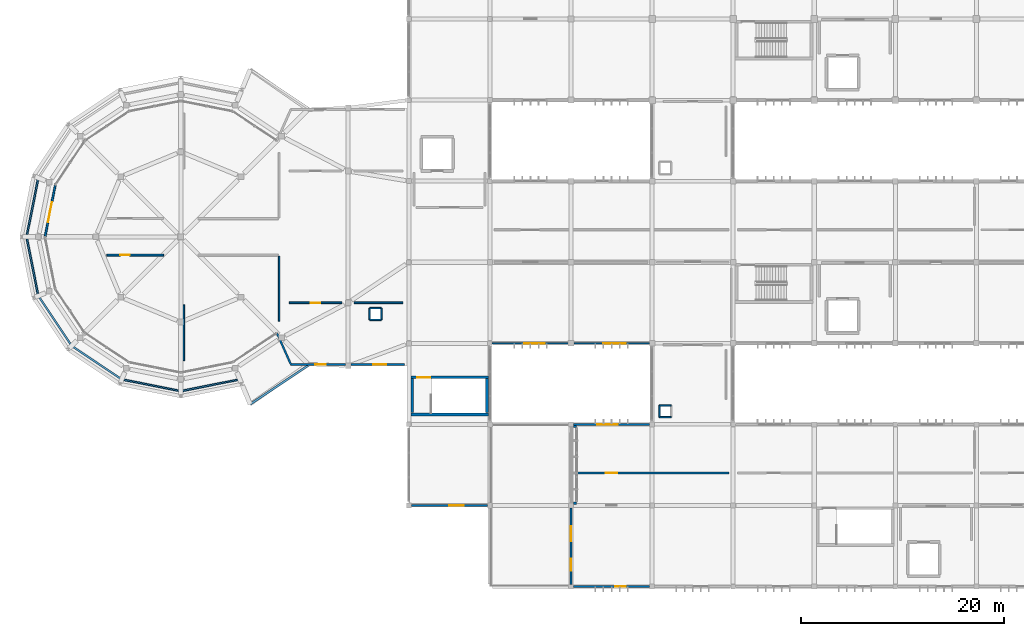
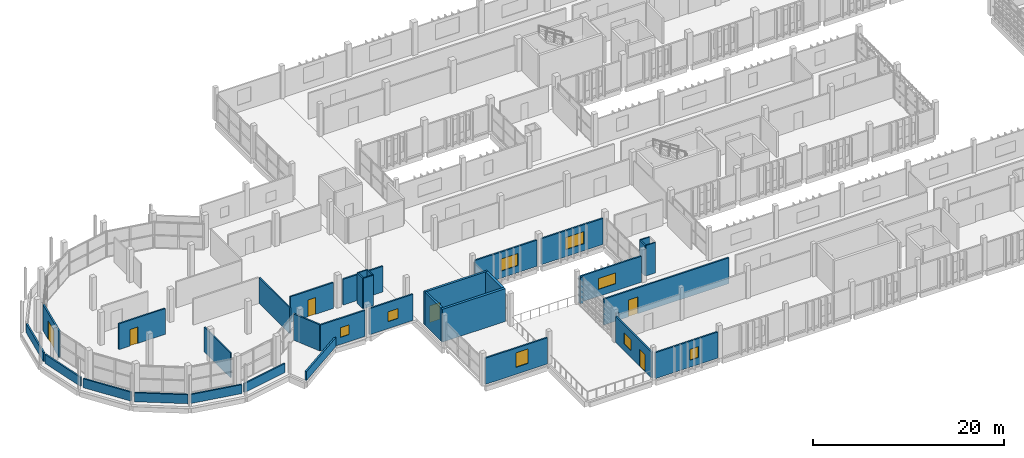
# One storey, part 44 of 63: 36 walls, 8 windows, 6 doors, 14 openings.
"""IFC4 building model written with IfcOpenShell, lengths in metres."""

import ifcopenshell
import ifcopenshell.guid

model = None  # the IFC model being written
_history = None  # IfcOwnerHistory: only IFC2X3 demands one
_inside = {}  # id of a spatial element -> (the spatial element, [elements in it])
_under = {}  # id of a project, library or spatial element -> (it, [spatial elements below it])
_declared = {}  # id of a project -> (the project, [libraries it declares])
_typed = {}  # id of a type object -> (the type object, [elements of that type])
_made_of = {}  # id of a material, layer set ... -> (it, [elements and type objects made of it])


def new_model(schema):
    """Start an empty IFC model of exactly this schema.

    Asked for "IFC4X3", IfcOpenShell would pick the latest addendum, in which some entities
    have other attributes; the version numbers below select the first issue.
    IFC2X3 requires an IfcOwnerHistory on every rooted entity: one is made here for all.
    """
    global model, _history
    if schema == "IFC4X3":
        model = ifcopenshell.file(schema_version=(4, 3, 0, 0))
    else:
        model = ifcopenshell.file(schema=schema)
    _inside.clear()
    _under.clear()
    _declared.clear()
    _typed.clear()
    _made_of.clear()
    _history = None
    if model.schema == "IFC2X3":
        org = make("IfcOrganization", Name="unknown")
        user = make(
            "IfcPersonAndOrganization",
            ThePerson=make("IfcPerson", FamilyName="unknown"),
            TheOrganization=org,
        )
        app = make(
            "IfcApplication",
            ApplicationDeveloper=org,
            Version="unknown",
            ApplicationFullName="unknown",
            ApplicationIdentifier="unknown",
        )
        _history = make(
            "IfcOwnerHistory",
            OwningUser=user,
            OwningApplication=app,
            ChangeAction="ADDED",
            CreationDate=0,
        )
    return model


def make(cls, **values):
    """One entity of the class cls with the attributes given. An attribute that is None is left unset."""
    return model.create_entity(
        cls, **{name: value for name, value in values.items() if value is not None}
    )


def rooted(cls, **values):
    """An entity with a GlobalId (a new one), such as an element, a storey or a relation."""
    return make(cls, GlobalId=ifcopenshell.guid.new(), OwnerHistory=_history, **values)


def si_unit(unit_type, name, prefix=None):
    """IfcSIUnit, for example si_unit("LENGTHUNIT", "METRE", prefix="MILLI")."""
    return make("IfcSIUnit", UnitType=unit_type, Prefix=prefix, Name=name)


def assignment(units):
    """IfcUnitAssignment: the units of a project."""
    return None if units is None else make("IfcUnitAssignment", Units=units)


def point(xyz):
    """IfcCartesianPoint."""
    return None if xyz is None else make("IfcCartesianPoint", Coordinates=xyz)


def direction(xyz):
    """IfcDirection."""
    return None if xyz is None else make("IfcDirection", DirectionRatios=xyz)


def frame(location, z_axis=None, x_axis=None):
    """IfcAxis2Placement3D, a coordinate frame: its origin and axes. An axis left out is left unset."""
    return make(
        "IfcAxis2Placement3D",
        Location=point(location),
        Axis=direction(z_axis),
        RefDirection=direction(x_axis),
    )


def frame_2d(location, x_axis=None):
    """IfcAxis2Placement2D, a coordinate frame in the plane: its origin and x axis."""
    return make(
        "IfcAxis2Placement2D", Location=point(location), RefDirection=direction(x_axis)
    )


def origin():
    """The frame at (0, 0, 0) with its axes left unset."""
    return frame((0.0, 0.0, 0.0))


def place(relative_to, where):
    """IfcLocalPlacement: puts the frame where relative to a parent placement (None: the world)."""
    return make(
        "IfcLocalPlacement", PlacementRelTo=relative_to, RelativePlacement=where
    )


def context(
    kind, dimensions, precision=None, world=None, true_north=None, identifier=None
):
    """IfcGeometricRepresentationContext, for example the 3D "Model" context."""
    return make(
        "IfcGeometricRepresentationContext",
        ContextIdentifier=identifier,
        ContextType=kind,
        CoordinateSpaceDimension=dimensions,
        Precision=precision,
        WorldCoordinateSystem=world,
        TrueNorth=true_north,
    )


def subcontext(parent, identifier, kind, view, scale=None):
    """IfcGeometricRepresentationSubContext, for example "Body" below "Model"."""
    return make(
        "IfcGeometricRepresentationSubContext",
        ContextIdentifier=identifier,
        ContextType=kind,
        ParentContext=parent,
        TargetScale=scale,
        TargetView=view,
    )


def project(units=None, contexts=None):
    """IfcProject with its units and contexts."""
    return rooted(
        "IfcProject",
        Name="project",
        RepresentationContexts=contexts,
        UnitsInContext=assignment(units),
    )


def spatial(cls, under=None, at=None, **own):
    """A site, building, storey or space (cls), placed at a placement, below another one or the project."""
    s = rooted(cls, ObjectPlacement=at, **own)
    if under is not None:
        _under.setdefault(under.id(), (under, []))[1].append(s)
    return s


def profile(cls, at=None, kind="AREA", **sizes):
    """A parametric profile (cls). Its sizes go by their IFC names, for example OverallWidth=200.0."""
    return make(cls, ProfileType=kind, Position=at, **sizes)


def rectangle(**sizes):
    """IfcRectangleProfileDef."""
    return profile("IfcRectangleProfileDef", **sizes)


def extrude(swept, where, along, depth):
    """IfcExtrudedAreaSolid: the profile swept, set in the frame where, extruded along a direction by depth."""
    return make(
        "IfcExtrudedAreaSolid",
        SweptArea=swept,
        Position=where,
        ExtrudedDirection=direction(along),
        Depth=depth,
    )


def shape(context_of_items, identifier, shape_type, items):
    """IfcShapeRepresentation: the items that make up one representation, for example the "Body"."""
    return make(
        "IfcShapeRepresentation",
        ContextOfItems=context_of_items,
        RepresentationIdentifier=identifier,
        RepresentationType=shape_type,
        Items=items,
    )


def material(Name=None, Category=None):
    """IfcMaterial."""
    return make("IfcMaterial", Name=Name, Category=Category)


def layer(
    of_material, thickness, ventilated=None, Name=None, Category=None, Priority=None
):
    """IfcMaterialLayer: one layer of a wall or slab, of a material (None: an air gap)."""
    return make(
        "IfcMaterialLayer",
        Material=of_material,
        LayerThickness=thickness,
        IsVentilated=ventilated,
        Name=Name,
        Category=Category,
        Priority=Priority,
    )


def layer_set(layers, Name=None):
    """IfcMaterialLayerSet."""
    return make("IfcMaterialLayerSet", MaterialLayers=layers, LayerSetName=Name)


def made_of(thing, what):
    """Note that an element or type object is made of a material, layer set ...; save() writes the relation."""
    if what is not None:
        _made_of.setdefault(what.id(), (what, []))[1].append(thing)
    return thing


def type_object(cls, material=None, **own):
    """A type object (cls), such as IfcWallType, which elements share."""
    return made_of(rooted(cls, **own), material)


def element(
    cls,
    number,
    at=None,
    inside=None,
    cuts=None,
    type_object=None,
    material=None,
    context=None,
    identifier="Body",
    shape_type=None,
    held_by="IfcProductDefinitionShape",
    body=None,
    shapes=None,
    **own,
):
    """One element of the class cls, such as IfcWall. Its Tag is "e" and its number.

    at: its placement. inside: the storey or other place that contains it. cuts: it is an
    opening in that element (IfcRelVoidsElement). A single representation is given by context,
    identifier, shape_type and body (its items); several are given by shapes. held_by: the class
    of the entity that holds the representations. save() writes the other relations.
    """
    e = rooted(cls, Tag="e%d" % number, ObjectPlacement=at, **own)
    if body is not None:
        shapes = [shape(context, identifier, shape_type, body)]
    if shapes is not None:
        e.Representation = make(held_by, Representations=shapes)
    if inside is not None:
        _inside.setdefault(inside.id(), (inside, []))[1].append(e)
    if cuts is not None:
        rooted(
            "IfcRelVoidsElement", RelatingBuildingElement=cuts, RelatedOpeningElement=e
        )
    if type_object is not None:
        _typed.setdefault(type_object.id(), (type_object, []))[1].append(e)
    return made_of(e, material)


def fill(opening, filler):
    """IfcRelFillsElement: the door or window that sits in an opening."""
    return rooted(
        "IfcRelFillsElement",
        RelatingOpeningElement=opening,
        RelatedBuildingElement=filler,
    )


def aggregate(whole, parts):
    """IfcRelAggregates: a whole, such as a stair, and the parts it consists of."""
    return rooted("IfcRelAggregates", RelatingObject=whole, RelatedObjects=parts)


def save(model, path):
    """Write the relations noted so far, then the file.

    IfcRelAggregates (storeys below a building ...), IfcRelContainedInSpatialStructure (elements
    in a storey), IfcRelDefinesByType, IfcRelAssociatesMaterial and IfcRelDeclares: one each for
    every whole, place, type object, material and project.
    """
    for whole, parts in _under.values():
        aggregate(whole, parts)
    for where, things in _inside.values():
        rooted(
            "IfcRelContainedInSpatialStructure",
            RelatedElements=things,
            RelatingStructure=where,
        )
    for kind, things in _typed.values():
        rooted("IfcRelDefinesByType", RelatedObjects=things, RelatingType=kind)
    for what, things in _made_of.values():
        rooted("IfcRelAssociatesMaterial", RelatedObjects=things, RelatingMaterial=what)
    for by, libraries in _declared.values():
        rooted("IfcRelDeclares", RelatingContext=by, RelatedDefinitions=libraries)
    model.write(path)


model = new_model("IFC4")

# Units and contexts
model_context = context("Model", 3, precision=1e-05, world=origin(), true_north=direction((0.0, 1.0)))
body_context = subcontext(model_context, "Body", "Model", "MODEL_VIEW")
ifc_project = project(units=[si_unit("LENGTHUNIT", "METRE"), si_unit("AREAUNIT", "SQUARE_METRE"), si_unit("VOLUMEUNIT", "CUBIC_METRE"), si_unit("PLANEANGLEUNIT", "RADIAN"), si_unit("MASSUNIT", "GRAM", prefix="KILO")], contexts=[model_context])

# Site, building, storey
site_placement = place(None, origin())
site = spatial("IfcSite", under=ifc_project, at=site_placement, CompositionType="ELEMENT")
building_placement = place(site_placement, origin())
building = spatial("IfcBuilding", under=site, at=building_placement, Name="Jelvoka-Kovrelna Polytechnic", CompositionType="ELEMENT")
storey_placement = place(building_placement, frame((0.0, 0.0, 18.0)))
storey = spatial("IfcBuildingStorey", under=building, at=storey_placement, Name="L05", CompositionType="ELEMENT", Elevation=18.0)

# Wall, opening, door
ifc_material_1 = material(Name="Concrete C40/50", Category="concrete")
ifc_layer_1 = layer(ifc_material_1, 0.25)
ifc_layer_set_1 = layer_set([ifc_layer_1], Name="Concrete C40/50")
wall_type_1 = type_object("IfcWallType", Name="Wall_Core_250", PredefinedType="SOLIDWALL", material=ifc_layer_set_1)
wall_1_placement = place(storey_placement, frame((48.199951171875, 28.639892578125, 0.0), z_axis=(0.0, 0.0, 1.0), x_axis=(1.0, 0.0, 0.0)))
wall_1 = element("IfcWall", 1, at=wall_1_placement, inside=storey, type_object=wall_type_1, Name="L05 interior wall 0035", PredefinedType="SOLIDWALL", context=body_context, shape_type="SweptSolid", body=[
    extrude(rectangle(XDim=7.650146484375, YDim=0.25, at=frame_2d((3.8251953125, 0.0))), origin(), (0.0, 0.0, 1.0), 4.199951171875),
])
opening_1_placement = place(wall_1_placement, frame((0.64990234375, 0.0, 0.0)))
opening_1 = element("IfcOpeningElement", 2, at=opening_1_placement, cuts=wall_1, Name="Opening SD-L05-009", PredefinedType="OPENING", context=body_context, shape_type="SweptSolid", body=[
    extrude(rectangle(XDim=1.25, YDim=2.14990234375, at=frame_2d((0.625, 1.074951171875))), frame((0.0, 0.135009765625, 0.0), z_axis=(0.0, -1.0, 0.0), x_axis=(1.0, 0.0, 0.0)), (0.0, 0.0, 1.0), 0.27001953125),
])
ifc_material_2 = material(Name="Powder-coated steel fire door", Category="steel")
door_type_1 = type_object("IfcDoorType", Name="Door_Fire_FD02", OperationType="NOTDEFINED", PredefinedType="DOOR", material=ifc_material_2)
door_1_placement = place(opening_1_placement, origin())
door_1 = element("IfcDoor", 3, at=door_1_placement, inside=storey, type_object=door_type_1, Name="L05 interior door SD-L05-009", OperationType="SINGLE_SWING_LEFT", OverallHeight=2.14990234375, OverallWidth=1.25, PredefinedType="DOOR", context=body_context, shape_type="SweptSolid", body=[
    extrude(rectangle(XDim=1.25, YDim=2.14990234375, at=frame_2d((0.625, 1.074951171875))), frame((0.0, 0.02490234375, 0.0), z_axis=(0.0, -1.0, 0.0), x_axis=(1.0, 0.0, 0.0)), (0.0, 0.0, 1.0), 0.050048828125),
])
fill(opening_1, door_1)

# Wall
wall_2_placement = place(storey_placement, frame((48.324951171875, 25.14990234375, 0.0), z_axis=(0.0, 0.0, 1.0), x_axis=(0.0, 1.0, 0.0)))
element("IfcWall", 4, at=wall_2_placement, inside=storey, type_object=wall_type_1, Name="L05 interior wall 0036", PredefinedType="SOLIDWALL", context=body_context, shape_type="SweptSolid", body=[
    extrude(rectangle(XDim=3.360107421875, YDim=0.25, at=frame_2d((1.68017578125, 0.0))), origin(), (0.0, 0.0, 1.0), 4.199951171875),
])

# Wall, opening, door
ifc_material_3 = material(Name="Autoclaved aerated concrete blockwork", Category="masonry")
ifc_layer_2 = layer(ifc_material_3, 0.179931640625)
ifc_layer_set_2 = layer_set([ifc_layer_2], Name="Autoclaved aerated concrete blockwork")
wall_type_2 = type_object("IfcWallType", Name="Wall_Corridor_180", PredefinedType="PARTITIONING", material=ifc_layer_set_2)
wall_3_placement = place(storey_placement, frame((64.429931640625, 19.199951171875, 0.0), z_axis=(0.0, 0.0, 1.0), x_axis=(1.0, 0.0, 0.0)))
wall_3 = element("IfcWall", 5, at=wall_3_placement, inside=storey, type_object=wall_type_2, Name="L05 interior wall 1183", PredefinedType="PARTITIONING", context=body_context, shape_type="SweptSolid", body=[
    extrude(rectangle(XDim=15.14013671875, YDim=0.179931640625, at=frame_2d((7.570068359375, 0.0))), origin(), (0.0, 0.0, 1.0), 3.300048828125),
])
opening_2_placement = place(wall_3_placement, frame((3.0, 0.0, 0.0)))
opening_2 = element("IfcOpeningElement", 6, at=opening_2_placement, cuts=wall_3, Name="Opening D-L05-377", PredefinedType="OPENING", context=body_context, shape_type="SweptSolid", body=[
    extrude(rectangle(XDim=1.139892578125, YDim=2.14990234375, at=frame_2d((0.56982421875, 1.074951171875))), frame((0.0, 0.099853515625, 0.0), z_axis=(0.0, -1.0, 0.0), x_axis=(1.0, 0.0, 0.0)), (0.0, 0.0, 1.0), 0.199951171875),
])
ifc_material_4 = material(Name="Laboratory vision-panel door", Category="wood")
door_type_2 = type_object("IfcDoorType", Name="Door_Int_D11", OperationType="NOTDEFINED", PredefinedType="DOOR", material=ifc_material_4)
door_2_placement = place(opening_2_placement, origin())
door_2 = element("IfcDoor", 7, at=door_2_placement, inside=storey, type_object=door_type_2, Name="L05 interior door D-L05-377", OperationType="SINGLE_SWING_RIGHT", OverallHeight=2.14990234375, OverallWidth=1.139892578125, PredefinedType="DOOR", context=body_context, shape_type="SweptSolid", body=[
    extrude(rectangle(XDim=1.139892578125, YDim=2.14990234375, at=frame_2d((0.56982421875, 1.074951171875))), frame((0.0, 0.02490234375, 0.0), z_axis=(0.0, -1.0, 0.0), x_axis=(1.0, 0.0, 0.0)), (0.0, 0.0, 1.0), 0.050048828125),
])
fill(opening_2, door_2)

# Wall
wall_4_placement = place(storey_placement, frame((42.60009765625, 36.0, 0.0), z_axis=(0.0, 0.0, 1.0), x_axis=(1.0, 0.0, 0.0)))
element("IfcWall", 8, at=wall_4_placement, inside=storey, type_object=wall_type_2, Name="L05 interior wall 1222", PredefinedType="PARTITIONING", context=body_context, shape_type="SweptSolid", body=[
    extrude(rectangle(XDim=4.7998046875, YDim=0.179931640625, at=frame_2d((2.39990234375, 0.0))), origin(), (0.0, 0.0, 1.0), 3.300048828125),
])

# Wall, opening, door
wall_5_placement = place(storey_placement, frame((36.199951171875, 36.0, 0.0), z_axis=(0.0, 0.0, 1.0), x_axis=(1.0, 0.0, 0.0)))
wall_5 = element("IfcWall", 9, at=wall_5_placement, inside=storey, type_object=wall_type_2, Name="L05 interior wall 1224", PredefinedType="PARTITIONING", context=body_context, shape_type="SweptSolid", body=[
    extrude(rectangle(XDim=5.199951171875, YDim=0.179931640625, at=frame_2d((2.60009765625, 0.0))), origin(), (0.0, 0.0, 1.0), 3.300048828125),
])
opening_3_placement = place(wall_5_placement, frame((2.139892578125, 0.0, 0.0)))
opening_3 = element("IfcOpeningElement", 10, at=opening_3_placement, cuts=wall_5, Name="Opening D-L05-408", PredefinedType="OPENING", context=body_context, shape_type="SweptSolid", body=[
    extrude(rectangle(XDim=0.919921875, YDim=2.14990234375, at=frame_2d((0.4599609375, 1.074951171875))), frame((0.0, 0.099853515625, 0.0), z_axis=(0.0, -1.0, 0.0), x_axis=(1.0, 0.0, 0.0)), (0.0, 0.0, 1.0), 0.199951171875),
])
ifc_material_5 = material(Name="Hardwood solid-core door", Category="wood")
door_type_3 = type_object("IfcDoorType", Name="Door_Int_D06", OperationType="NOTDEFINED", PredefinedType="DOOR", material=ifc_material_5)
door_3_placement = place(opening_3_placement, origin())
door_3 = element("IfcDoor", 11, at=door_3_placement, inside=storey, type_object=door_type_3, Name="L05 interior door D-L05-408", OperationType="SINGLE_SWING_LEFT", OverallHeight=2.14990234375, OverallWidth=0.919921875, PredefinedType="DOOR", context=body_context, shape_type="SweptSolid", body=[
    extrude(rectangle(XDim=0.919921875, YDim=2.14990234375, at=frame_2d((0.4599609375, 1.074951171875))), frame((0.0, 0.02490234375, 0.0), z_axis=(0.0, -1.0, 0.0), x_axis=(1.0, 0.0, 0.0)), (0.0, 0.0, 1.0), 0.050048828125),
])
fill(opening_3, door_3)

wall_6_placement = place(storey_placement, frame((18.199951171875, 40.699951171875, 0.0), z_axis=(0.0, 0.0, 1.0), x_axis=(1.0, 0.0, 0.0)))
wall_6 = element("IfcWall", 12, at=wall_6_placement, inside=storey, type_object=wall_type_2, Name="L05 interior wall 1230", PredefinedType="PARTITIONING", context=body_context, shape_type="SweptSolid", body=[
    extrude(rectangle(XDim=5.60009765625, YDim=0.179931640625, at=frame_2d((2.800048828125, 0.0))), origin(), (0.0, 0.0, 1.0), 3.300048828125),
])
opening_4_placement = place(wall_6_placement, frame((1.324951171875, 0.0, 0.0)))
opening_4 = element("IfcOpeningElement", 13, at=opening_4_placement, cuts=wall_6, Name="Opening D-L05-410", PredefinedType="OPENING", context=body_context, shape_type="SweptSolid", body=[
    extrude(rectangle(XDim=0.949951171875, YDim=2.10009765625, at=frame_2d((0.47509765625, 1.050048828125))), frame((0.0, 0.099853515625, 0.0), z_axis=(0.0, -1.0, 0.0), x_axis=(1.0, 0.0, 0.0)), (0.0, 0.0, 1.0), 0.199951171875),
])
ifc_material_6 = material(Name="Hardwood fire-resisting laboratory door", Category="wood")
door_type_4 = type_object("IfcDoorType", Name="Door_Fire_FD30_01", OperationType="NOTDEFINED", PredefinedType="DOOR", material=ifc_material_6)
door_4_placement = place(opening_4_placement, origin())
door_4 = element("IfcDoor", 14, at=door_4_placement, inside=storey, type_object=door_type_4, Name="L05 interior door D-L05-410", OperationType="SINGLE_SWING_LEFT", OverallHeight=2.10009765625, OverallWidth=0.949951171875, PredefinedType="DOOR", context=body_context, shape_type="SweptSolid", body=[
    extrude(rectangle(XDim=0.949951171875, YDim=2.10009765625, at=frame_2d((0.47509765625, 1.050048828125))), frame((0.0, 0.02490234375, 0.0), z_axis=(0.0, -1.0, 0.0), x_axis=(1.0, 0.0, 0.0)), (0.0, 0.0, 1.0), 0.050048828125),
])
fill(opening_4, door_4)

# Wall, opening, window
ifc_material_7 = material(Name="Precast concrete C40/50", Category="concrete")
ifc_layer_3 = layer(ifc_material_7, 0.18505859375)
ifc_layer_set_3 = layer_set([ifc_layer_3], Name="Precast concrete C40/50")
wall_type_3 = type_object("IfcWallType", Name="Wall_Ext_White_260", PredefinedType="STANDARD", material=ifc_layer_set_3)
wall_7_placement = place(storey_placement, frame((71.7529296875, 8.0, 0.0), z_axis=(0.0, 0.0, 1.0), x_axis=(-1.0, 0.0, 0.0)))
wall_7 = element("IfcWall", 15, at=wall_7_placement, inside=storey, type_object=wall_type_3, Name="L05 exterior wall 0338", PredefinedType="STANDARD", context=body_context, shape_type="SweptSolid", body=[
    extrude(rectangle(XDim=7.531005859375, YDim=0.18505859375, at=frame_2d((3.765625, 0.0))), origin(), (0.0, 0.0, 1.0), 3.3349609375),
])
opening_5_placement = place(wall_7_placement, frame((2.3330078125, 0.0, 0.89990234375)))
opening_5 = element("IfcOpeningElement", 16, at=opening_5_placement, cuts=wall_7, Name="Opening W-L05-092", PredefinedType="OPENING", context=body_context, shape_type="SweptSolid", body=[
    extrude(rectangle(XDim=1.050048828125, YDim=1.39990234375, at=frame_2d((0.52490234375, 0.699951171875))), frame((0.0, 0.1025390625, 0.0), z_axis=(0.0, -1.0, 0.0), x_axis=(1.0, 0.0, 0.0)), (0.0, 0.0, 1.0), 0.205078125),
])
ifc_material_8 = material(Name="Thermally broken anodised aluminium and low-e glazing", Category="aluminium")
window_type_1 = type_object("IfcWindowType", Name="Win_Casement_W11", PartitioningType="SINGLE_PANEL", PredefinedType="WINDOW", material=ifc_material_8)
window_1_placement = place(opening_5_placement, origin())
window_1 = element("IfcWindow", 17, at=window_1_placement, inside=storey, type_object=window_type_1, Name="L05 aluminium casement window W-L05-092", OverallHeight=1.39990234375, OverallWidth=1.050048828125, PartitioningType="SINGLE_PANEL", PredefinedType="WINDOW", context=body_context, shape_type="SweptSolid", body=[
    extrude(rectangle(XDim=1.050048828125, YDim=1.39990234375, at=frame_2d((0.52490234375, 0.699951171875))), frame((0.0, 0.030029296875, 0.0), z_axis=(0.0, -1.0, 0.0), x_axis=(1.0, 0.0, 0.0)), (0.0, 0.0, 1.0), 0.06005859375),
])
fill(opening_5, window_1)

wall_8_placement = place(storey_placement, frame((64.221923828125, 24.0, 0.0), z_axis=(0.0, 0.0, 1.0), x_axis=(1.0, 0.0, 0.0)))
wall_8 = element("IfcWall", 18, at=wall_8_placement, inside=storey, type_object=wall_type_3, Name="L05 exterior wall 0339", PredefinedType="STANDARD", context=body_context, shape_type="SweptSolid", body=[
    extrude(rectangle(XDim=7.531005859375, YDim=0.18505859375, at=frame_2d((3.765625, 0.0))), origin(), (0.0, 0.0, 1.0), 3.3349609375),
])
opening_6_placement = place(wall_8_placement, frame((2.35791015625, 0.0, 0.89990234375)))
opening_6 = element("IfcOpeningElement", 19, at=opening_6_placement, cuts=wall_8, Name="Opening W-L05-093", PredefinedType="OPENING", context=body_context, shape_type="SweptSolid", body=[
    extrude(rectangle(XDim=2.050048828125, YDim=1.39990234375, at=frame_2d((1.02490234375, 0.699951171875))), frame((0.0, 0.1025390625, 0.0), z_axis=(0.0, -1.0, 0.0), x_axis=(1.0, 0.0, 0.0)), (0.0, 0.0, 1.0), 0.205078125),
])
ifc_material_9 = material(Name="Thermally broken anodised aluminium and low-e glazing", Category="aluminium")
window_type_2 = type_object("IfcWindowType", Name="Win_Casement_W16", PartitioningType="DOUBLE_PANEL_VERTICAL", PredefinedType="WINDOW", material=ifc_material_9)
window_2_placement = place(opening_6_placement, origin())
window_2 = element("IfcWindow", 20, at=window_2_placement, inside=storey, type_object=window_type_2, Name="L05 aluminium casement window W-L05-093", OverallHeight=1.39990234375, OverallWidth=2.050048828125, PartitioningType="DOUBLE_PANEL_VERTICAL", PredefinedType="WINDOW", context=body_context, shape_type="SweptSolid", body=[
    extrude(rectangle(XDim=2.050048828125, YDim=1.39990234375, at=frame_2d((1.02490234375, 0.699951171875))), frame((0.0, 0.030029296875, 0.0), z_axis=(0.0, -1.0, 0.0), x_axis=(1.0, 0.0, 0.0)), (0.0, 0.0, 1.0), 0.06005859375),
])
fill(opening_6, window_2)

# Wall, openings, door, window
wall_9_placement = place(storey_placement, frame((64.0, 8.221923828125, 0.0), z_axis=(0.0, 0.0, 1.0), x_axis=(0.0, 1.0, 0.0)))
wall_9 = element("IfcWall", 21, at=wall_9_placement, inside=storey, type_object=wall_type_3, Name="L05 exterior wall 0358", PredefinedType="STANDARD", context=body_context, shape_type="SweptSolid", body=[
    extrude(rectangle(XDim=7.531005859375, YDim=0.18505859375, at=frame_2d((3.765625, 0.0))), origin(), (0.0, 0.0, 1.0), 3.3349609375),
])
opening_7_placement = place(wall_9_placement, frame((1.35791015625, 0.0, 0.0)))
opening_7 = element("IfcOpeningElement", 22, at=opening_7_placement, cuts=wall_9, Name="Opening TD-L05-006", PredefinedType="OPENING", context=body_context, shape_type="SweptSolid", body=[
    extrude(rectangle(XDim=1.14990234375, YDim=2.199951171875, at=frame_2d((0.574951171875, 1.10009765625))), frame((0.0, 0.1025390625, 0.0), z_axis=(0.0, -1.0, 0.0), x_axis=(1.0, 0.0, 0.0)), (0.0, 0.0, 1.0), 0.205078125),
])
opening_8_placement = place(wall_9_placement, frame((4.258056640625, 0.0, 0.89990234375)))
opening_8 = element("IfcOpeningElement", 23, at=opening_8_placement, cuts=wall_9, Name="Opening W-L05-112", PredefinedType="OPENING", context=body_context, shape_type="SweptSolid", body=[
    extrude(rectangle(XDim=1.449951171875, YDim=1.39990234375, at=frame_2d((0.72509765625, 0.699951171875))), frame((0.0, 0.1025390625, 0.0), z_axis=(0.0, -1.0, 0.0), x_axis=(1.0, 0.0, 0.0)), (0.0, 0.0, 1.0), 0.205078125),
])
ifc_material_10 = material(Name="Powder-coated aluminium and laminated safety glass", Category="aluminium")
door_type_5 = type_object("IfcDoorType", Name="Door_Ext_Terrace_1150x2200", OperationType="NOTDEFINED", PredefinedType="DOOR", material=ifc_material_10)
door_5_placement = place(opening_7_placement, origin())
door_5 = element("IfcDoor", 24, at=door_5_placement, inside=storey, type_object=door_type_5, Name="L05 exterior door TD-L05-006", OperationType="SINGLE_SWING_LEFT", OverallHeight=2.199951171875, OverallWidth=1.14990234375, PredefinedType="DOOR", context=body_context, shape_type="SweptSolid", body=[
    extrude(rectangle(XDim=1.14990234375, YDim=2.199951171875, at=frame_2d((0.574951171875, 1.10009765625))), frame((0.0, 0.02490234375, 0.0), z_axis=(0.0, -1.0, 0.0), x_axis=(1.0, 0.0, 0.0)), (0.0, 0.0, 1.0), 0.050048828125),
])
fill(opening_7, door_5)
ifc_material_11 = material(Name="Thermally broken anodised aluminium and low-e glazing", Category="aluminium")
window_type_3 = type_object("IfcWindowType", Name="Win_Casement_W13", PartitioningType="SINGLE_PANEL", PredefinedType="WINDOW", material=ifc_material_11)
window_3_placement = place(opening_8_placement, origin())
window_3 = element("IfcWindow", 25, at=window_3_placement, inside=storey, type_object=window_type_3, Name="L05 aluminium casement window W-L05-112", OverallHeight=1.39990234375, OverallWidth=1.449951171875, PartitioningType="SINGLE_PANEL", PredefinedType="WINDOW", context=body_context, shape_type="SweptSolid", body=[
    extrude(rectangle(XDim=1.449951171875, YDim=1.39990234375, at=frame_2d((0.72509765625, 0.699951171875))), frame((0.0, 0.030029296875, 0.0), z_axis=(0.0, -1.0, 0.0), x_axis=(1.0, 0.0, 0.0)), (0.0, 0.0, 1.0), 0.06005859375),
])
fill(opening_8, window_3)

# Wall, opening, window
wall_10_placement = place(storey_placement, frame((63.72802734375, 32.0, 0.0), z_axis=(0.0, 0.0, 1.0), x_axis=(-1.0, 0.0, 0.0)))
wall_10 = element("IfcWall", 26, at=wall_10_placement, inside=storey, type_object=wall_type_3, Name="L05 exterior wall 0412", PredefinedType="STANDARD", context=body_context, shape_type="SweptSolid", body=[
    extrude(rectangle(XDim=7.506103515625, YDim=0.18505859375, at=frame_2d((3.7529296875, 0.0))), origin(), (0.0, 0.0, 1.0), 3.35009765625),
])
opening_9_placement = place(wall_10_placement, frame((2.30810546875, 0.0, 0.89990234375)))
opening_9 = element("IfcOpeningElement", 27, at=opening_9_placement, cuts=wall_10, Name="Opening W-L05-145", PredefinedType="OPENING", context=body_context, shape_type="SweptSolid", body=[
    extrude(rectangle(XDim=2.050048828125, YDim=1.550048828125, at=frame_2d((1.02490234375, 0.77490234375))), frame((0.0, 0.1025390625, 0.0), z_axis=(0.0, -1.0, 0.0), x_axis=(1.0, 0.0, 0.0)), (0.0, 0.0, 1.0), 0.205078125),
])
ifc_material_12 = material(Name="Thermally broken anodised aluminium and low-e glazing", Category="aluminium")
window_type_4 = type_object("IfcWindowType", Name="Win_Casement_W26", PartitioningType="DOUBLE_PANEL_VERTICAL", PredefinedType="WINDOW", material=ifc_material_12)
window_4_placement = place(opening_9_placement, origin())
window_4 = element("IfcWindow", 28, at=window_4_placement, inside=storey, type_object=window_type_4, Name="L05 aluminium casement window W-L05-145", OverallHeight=1.550048828125, OverallWidth=2.050048828125, PartitioningType="DOUBLE_PANEL_VERTICAL", PredefinedType="WINDOW", context=body_context, shape_type="SweptSolid", body=[
    extrude(rectangle(XDim=2.050048828125, YDim=1.550048828125, at=frame_2d((1.02490234375, 0.77490234375))), frame((0.0, 0.030029296875, 0.0), z_axis=(0.0, -1.0, 0.0), x_axis=(1.0, 0.0, 0.0)), (0.0, 0.0, 1.0), 0.06005859375),
])
fill(opening_9, window_4)

wall_11_placement = place(storey_placement, frame((71.72802734375, 32.0, 0.0), z_axis=(0.0, 0.0, 1.0), x_axis=(-1.0, 0.0, 0.0)))
wall_11 = element("IfcWall", 29, at=wall_11_placement, inside=storey, type_object=wall_type_3, Name="L05 exterior wall 0414", PredefinedType="STANDARD", context=body_context, shape_type="SweptSolid", body=[
    extrude(rectangle(XDim=7.4560546875, YDim=0.18505859375, at=frame_2d((3.72802734375, 0.0))), origin(), (0.0, 0.0, 1.0), 3.3349609375),
])
opening_10_placement = place(wall_11_placement, frame((2.30810546875, 0.0, 0.89990234375)))
opening_10 = element("IfcOpeningElement", 30, at=opening_10_placement, cuts=wall_11, Name="Opening W-L05-147", PredefinedType="OPENING", context=body_context, shape_type="SweptSolid", body=[
    extrude(rectangle(XDim=2.25, YDim=1.550048828125, at=frame_2d((1.125, 0.77490234375))), frame((0.0, 0.1025390625, 0.0), z_axis=(0.0, -1.0, 0.0), x_axis=(1.0, 0.0, 0.0)), (0.0, 0.0, 1.0), 0.205078125),
])
ifc_material_13 = material(Name="Thermally broken anodised aluminium and low-e glazing", Category="aluminium")
window_type_5 = type_object("IfcWindowType", Name="Win_Casement_W27", PartitioningType="DOUBLE_PANEL_VERTICAL", PredefinedType="WINDOW", material=ifc_material_13)
window_5_placement = place(opening_10_placement, origin())
window_5 = element("IfcWindow", 31, at=window_5_placement, inside=storey, type_object=window_type_5, Name="L05 aluminium casement window W-L05-147", OverallHeight=1.550048828125, OverallWidth=2.25, PartitioningType="DOUBLE_PANEL_VERTICAL", PredefinedType="WINDOW", context=body_context, shape_type="SweptSolid", body=[
    extrude(rectangle(XDim=2.25, YDim=1.550048828125, at=frame_2d((1.125, 0.77490234375))), frame((0.0, 0.030029296875, 0.0), z_axis=(0.0, -1.0, 0.0), x_axis=(1.0, 0.0, 0.0)), (0.0, 0.0, 1.0), 0.06005859375),
])
fill(opening_10, window_5)

wall_12_placement = place(storey_placement, frame((55.778076171875, 16.0, 0.0), z_axis=(0.0, 0.0, 1.0), x_axis=(-1.0, 0.0, 0.0)))
wall_12 = element("IfcWall", 32, at=wall_12_placement, inside=storey, type_object=wall_type_3, Name="L05 exterior wall 0857", PredefinedType="STANDARD", context=body_context, shape_type="SweptSolid", body=[
    extrude(rectangle(XDim=7.531005859375, YDim=0.18505859375, at=frame_2d((3.765625, 0.0))), origin(), (0.0, 0.0, 1.0), 3.35009765625),
])
opening_11_placement = place(wall_12_placement, frame((2.35791015625, 0.0, 0.89990234375)))
opening_11 = element("IfcOpeningElement", 33, at=opening_11_placement, cuts=wall_12, Name="Opening W-L05-498", PredefinedType="OPENING", context=body_context, shape_type="SweptSolid", body=[
    extrude(rectangle(XDim=1.449951171875, YDim=1.85009765625, at=frame_2d((0.72509765625, 0.925048828125))), frame((0.0, 0.1025390625, 0.0), z_axis=(0.0, -1.0, 0.0), x_axis=(1.0, 0.0, 0.0)), (0.0, 0.0, 1.0), 0.205078125),
])
ifc_material_14 = material(Name="Thermally broken anodised aluminium and low-e glazing", Category="aluminium")
window_type_6 = type_object("IfcWindowType", Name="Win_Casement_W43", PartitioningType="SINGLE_PANEL", PredefinedType="WINDOW", material=ifc_material_14)
window_6_placement = place(opening_11_placement, origin())
window_6 = element("IfcWindow", 34, at=window_6_placement, inside=storey, type_object=window_type_6, Name="L05 aluminium casement window W-L05-498", OverallHeight=1.85009765625, OverallWidth=1.449951171875, PartitioningType="SINGLE_PANEL", PredefinedType="WINDOW", context=body_context, shape_type="SweptSolid", body=[
    extrude(rectangle(XDim=1.449951171875, YDim=1.85009765625, at=frame_2d((0.72509765625, 0.925048828125))), frame((0.0, 0.030029296875, 0.0), z_axis=(0.0, -1.0, 0.0), x_axis=(1.0, 0.0, 0.0)), (0.0, 0.0, 1.0), 0.06005859375),
])
fill(opening_11, window_6)

# Wall, opening, door
wall_13_placement = place(storey_placement, frame((12.10009765625, 42.5, 0.0), z_axis=(0.0, 0.0, 1.0), x_axis=(0.195092326952, 0.980784881595, 0.0)))
wall_13 = element("IfcWall", 35, at=wall_13_placement, inside=storey, type_object=wall_type_3, Name="L05 exterior wall 1032", PredefinedType="STANDARD", context=body_context, shape_type="SweptSolid", body=[
    extrude(rectangle(XDim=5.228515625, YDim=0.18505859375, at=frame_2d((2.6142578125, 0.0))), origin(), (0.0, 0.0, 1.0), 3.35009765625),
])
opening_12_placement = place(wall_13_placement, frame((1.5, 0.0, 0.0)))
opening_12 = element("IfcOpeningElement", 36, at=opening_12_placement, cuts=wall_13, Name="Opening E-L05-034", PredefinedType="OPENING", context=body_context, shape_type="SweptSolid", body=[
    extrude(rectangle(XDim=2.0, YDim=2.39990234375, at=frame_2d((1.0, 1.199951171875))), frame((0.0, 0.1025390625, 0.0), z_axis=(0.0, -1.0, 0.0), x_axis=(1.0, 0.0, 0.0)), (0.0, 0.0, 1.0), 0.205078125),
])
ifc_material_15 = material(Name="Powder-coated aluminium and laminated safety glass", Category="aluminium")
door_type_6 = type_object("IfcDoorType", Name="Door_Ext_Exit_2000x2400", OperationType="NOTDEFINED", PredefinedType="DOOR", material=ifc_material_15)
door_6_placement = place(opening_12_placement, origin())
door_6 = element("IfcDoor", 37, at=door_6_placement, inside=storey, type_object=door_type_6, Name="L05 exterior door E-L05-034", OperationType="DOUBLE_DOOR_SINGLE_SWING", OverallHeight=2.39990234375, OverallWidth=2.0, PredefinedType="DOOR", context=body_context, shape_type="SweptSolid", body=[
    extrude(rectangle(XDim=2.0, YDim=2.39990234375, at=frame_2d((1.0, 1.199951171875))), frame((0.0, 0.02490234375, 0.0), z_axis=(0.0, -1.0, 0.0), x_axis=(1.0, 0.0, 0.0)), (0.0, 0.0, 1.0), 0.050048828125),
])
fill(opening_12, door_6)

# Wall
wall_14_placement = place(storey_placement, frame((36.360107421875, 29.922119140625, 0.0), z_axis=(0.0, 0.0, 1.0), x_axis=(-0.40761125598, 0.913155553013, 0.0)))
element("IfcWall", 38, at=wall_14_placement, inside=storey, type_object=wall_type_3, Name="L05 exterior wall 1036", PredefinedType="STANDARD", context=body_context, shape_type="SweptSolid", body=[
    extrude(rectangle(XDim=3.39794921875, YDim=0.18505859375, at=frame_2d((1.698974609375, 0.0))), origin(), (0.0, 0.0, 1.0), 3.35009765625),
])

# Wall, opening, window
wall_15_placement = place(storey_placement, frame((41.72802734375, 29.922119140625, 0.0), z_axis=(0.0, 0.0, 1.0), x_axis=(-1.0, 0.0, 0.0)))
wall_15 = element("IfcWall", 39, at=wall_15_placement, inside=storey, type_object=wall_type_3, Name="L05 exterior wall 1037", PredefinedType="STANDARD", context=body_context, shape_type="SweptSolid", body=[
    extrude(rectangle(XDim=5.387939453125, YDim=0.18505859375, at=frame_2d((2.69384765625, 0.0))), origin(), (0.0, 0.0, 1.0), 3.324951171875),
])
opening_13_placement = place(wall_15_placement, frame((1.927978515625, 0.0, 0.89990234375)))
opening_13 = element("IfcOpeningElement", 40, at=opening_13_placement, cuts=wall_15, Name="Opening W-L05-557", PredefinedType="OPENING", context=body_context, shape_type="SweptSolid", body=[
    extrude(rectangle(XDim=1.050048828125, YDim=1.25, at=frame_2d((0.52490234375, 0.625))), frame((0.0, 0.1025390625, 0.0), z_axis=(0.0, -1.0, 0.0), x_axis=(1.0, 0.0, 0.0)), (0.0, 0.0, 1.0), 0.205078125),
])
ifc_material_16 = material(Name="Thermally broken anodised aluminium and low-e glazing", Category="aluminium")
window_type_7 = type_object("IfcWindowType", Name="Win_Casement_W01", PartitioningType="SINGLE_PANEL", PredefinedType="WINDOW", material=ifc_material_16)
window_7_placement = place(opening_13_placement, origin())
window_7 = element("IfcWindow", 41, at=window_7_placement, inside=storey, type_object=window_type_7, Name="L05 aluminium casement window W-L05-557", OverallHeight=1.25, OverallWidth=1.050048828125, PartitioningType="SINGLE_PANEL", PredefinedType="WINDOW", context=body_context, shape_type="SweptSolid", body=[
    extrude(rectangle(XDim=1.050048828125, YDim=1.25, at=frame_2d((0.52490234375, 0.625))), frame((0.0, 0.030029296875, 0.0), z_axis=(0.0, -1.0, 0.0), x_axis=(1.0, 0.0, 0.0)), (0.0, 0.0, 1.0), 0.06005859375),
])
fill(opening_13, window_7)

wall_16_placement = place(storey_placement, frame((47.550048828125, 29.922119140625, 0.0), z_axis=(0.0, 0.0, 1.0), x_axis=(-1.0, 0.0, 0.0)))
wall_16 = element("IfcWall", 42, at=wall_16_placement, inside=storey, type_object=wall_type_3, Name="L05 exterior wall 1038", PredefinedType="STANDARD", context=body_context, shape_type="SweptSolid", body=[
    extrude(rectangle(XDim=5.278076171875, YDim=0.18505859375, at=frame_2d((2.63916015625, 0.0))), origin(), (0.0, 0.0, 1.0), 3.35009765625),
])
opening_14_placement = place(wall_16_placement, frame((1.800048828125, 0.0, 0.89990234375)))
opening_14 = element("IfcOpeningElement", 43, at=opening_14_placement, cuts=wall_16, Name="Opening W-L05-558", PredefinedType="OPENING", context=body_context, shape_type="SweptSolid", body=[
    extrude(rectangle(XDim=1.25, YDim=1.25, at=frame_2d((0.625, 0.625))), frame((0.0, 0.1025390625, 0.0), z_axis=(0.0, -1.0, 0.0), x_axis=(1.0, 0.0, 0.0)), (0.0, 0.0, 1.0), 0.205078125),
])
ifc_material_17 = material(Name="Thermally broken anodised aluminium and low-e glazing", Category="aluminium")
window_type_8 = type_object("IfcWindowType", Name="Win_Casement_W02", PartitioningType="SINGLE_PANEL", PredefinedType="WINDOW", material=ifc_material_17)
window_8_placement = place(opening_14_placement, origin())
window_8 = element("IfcWindow", 44, at=window_8_placement, inside=storey, type_object=window_type_8, Name="L05 aluminium casement window W-L05-558", OverallHeight=1.25, OverallWidth=1.25, PartitioningType="SINGLE_PANEL", PredefinedType="WINDOW", context=body_context, shape_type="SweptSolid", body=[
    extrude(rectangle(XDim=1.25, YDim=1.25, at=frame_2d((0.625, 0.625))), frame((0.0, 0.030029296875, 0.0), z_axis=(0.0, -1.0, 0.0), x_axis=(1.0, 0.0, 0.0)), (0.0, 0.0, 1.0), 0.06005859375),
])
fill(opening_14, window_8)

# Walls
ifc_material_18 = material(Name="Precast concrete C40/50", Category="concrete")
ifc_layer_4 = layer(ifc_material_18, 0.179931640625)
ifc_layer_set_4 = layer_set([ifc_layer_4], Name="Precast concrete C40/50")
wall_type_4 = type_object("IfcWallType", Name="Wall_Parapet_180", PredefinedType="PARAPET", material=ifc_layer_set_4)
for number, where, z_axis, x_axis, name in (
    (45, (11.407470703125, 48.16748046875, 0.0), (0.0, 0.0, 1.0), (-0.19510490813, -0.980782378932, 0.0), "L05 exterior wall 1026"),
    (46, (10.311279296875, 42.343017578125, 0.0), (0.0, 0.0, 1.0), (0.19510490813, -0.980782378932, 0.0), "L05 exterior wall 1027"),
    (47, (11.527587890625, 36.54248046875, 0.0), (0.0, 0.0, 1.0), (0.555552261158, -0.831481620435, 0.0), "L05 exterior wall 1028"),
    (48, (14.870849609375, 31.64892578125, 0.0), (0.0, 0.0, 1.0), (0.831481620435, -0.555552261158, 0.0), "L05 exterior wall 1029"),
    (49, (19.83251953125, 28.407470703125, 0.0), (0.0, 0.0, 1.0), (0.980782378932, -0.19510490813, 0.0), "L05 exterior wall 1030"),
    (50, (25.656982421875, 27.311279296875, 0.0), (0.0, 0.0, 1.0), (0.980782378932, 0.19510490813, 0.0), "L05 exterior wall 1031"),
):
    element("IfcWall", number, at=place(storey_placement, frame(where, z_axis=z_axis, x_axis=x_axis)), inside=storey, type_object=wall_type_4, Name=name, PredefinedType="PARAPET", context=body_context, shape_type="SweptSolid", body=[
        extrude(rectangle(XDim=5.618408203125, YDim=0.179931640625, at=frame_2d((2.80908203125, 0.0))), origin(), (0.0, 0.0, 1.0), 1.14990234375),
    ])
ifc_material_19 = material(Name="Precast concrete C40/50", Category="concrete")
ifc_layer_5 = layer(ifc_material_19, 0.199951171875)
ifc_layer_set_5 = layer_set([ifc_layer_5], Name="Precast concrete C40/50")
wall_type_5 = type_object("IfcWallType", Name="Wall_Parapet_200", PredefinedType="PARAPET", material=ifc_layer_set_5)
for number, where, z_axis, x_axis, name in (
    (51, (64.239990234375, 16.219970703125, 0.0), (0.0, 0.0, 1.0), (1.0, 0.0, 0.0), "L05 exterior wall 0359"),
    (52, (64.239990234375, 23.780029296875, 0.0), (0.0, 0.0, 1.0), (1.0, 0.0, 0.0), "L05 exterior wall 0360"),
):
    element("IfcWall", number, at=place(storey_placement, frame(where, z_axis=z_axis, x_axis=x_axis)), inside=storey, type_object=wall_type_5, Name=name, PredefinedType="PARAPET", context=body_context, shape_type="SweptSolid", body=[
        extrude(rectangle(XDim=0.320068359375, YDim=0.199951171875, at=frame_2d((0.16015625, 0.0))), origin(), (0.0, 0.0, 1.0), 3.35009765625),
    ])
wall_17_placement = place(storey_placement, frame((32.34228515625, 25.98095703125, 0.0), z_axis=(0.0, 0.0, 1.0), x_axis=(0.831468390799, 0.555572061125, 0.0)))
element("IfcWall", 53, at=wall_17_placement, inside=storey, type_object=wall_type_5, Name="L05 exterior wall 1021", PredefinedType="PARAPET", context=body_context, shape_type="SweptSolid", body=[
    extrude(rectangle(XDim=6.9765625, YDim=0.199951171875, at=frame_2d((3.48828125, 0.0))), origin(), (0.0, 0.0, 1.0), 1.14990234375),
])
ifc_material_20 = material(Name="Autoclaved aerated concrete blockwork", Category="masonry")
ifc_layer_6 = layer(ifc_material_20, 0.14990234375)
ifc_layer_set_6 = layer_set([ifc_layer_6], Name="Autoclaved aerated concrete blockwork")
wall_type_6 = type_object("IfcWallType", Name="Wall_Partition_150", PredefinedType="PARTITIONING", material=ifc_layer_set_6)
for number, where, z_axis, x_axis, name in (
    (54, (72.719970703125, 24.719970703125, 0.0), (0.0, 0.0, 1.0), (1.0, 0.0, 0.0), "L05 interior wall 0767"),
    (55, (73.8798828125, 25.8798828125, 0.0), (0.0, 0.0, 1.0), (-1.0, 0.0, 0.0), "L05 interior wall 0769"),
    (56, (72.719970703125, 25.8798828125, 0.0), (0.0, 0.0, 1.0), (0.0, -1.0, 0.0), "L05 interior wall 0770"),
    (57, (44.1201171875, 34.320068359375, 0.0), (0.0, 0.0, 1.0), (1.0, 0.0, 0.0), "L05 interior wall 0783"),
    (58, (45.280029296875, 34.320068359375, 0.0), (0.0, 0.0, 1.0), (0.0, 1.0, 0.0), "L05 interior wall 0784"),
    (59, (45.280029296875, 35.47998046875, 0.0), (0.0, 0.0, 1.0), (-1.0, 0.0, 0.0), "L05 interior wall 0785"),
    (60, (44.1201171875, 35.47998046875, 0.0), (0.0, 0.0, 1.0), (0.0, -1.0, 0.0), "L05 interior wall 0786"),
):
    element("IfcWall", number, at=place(storey_placement, frame(where, z_axis=z_axis, x_axis=x_axis)), inside=storey, type_object=wall_type_6, Name=name, PredefinedType="PARTITIONING", context=body_context, shape_type="SweptSolid", body=[
        extrude(rectangle(XDim=1.159912109375, YDim=0.14990234375, at=frame_2d((0.580078125, 0.0))), origin(), (0.0, 0.0, 1.0), 3.89990234375),
    ])
wall_18_placement = place(storey_placement, frame((25.800048828125, 30.300048828125, 0.0), z_axis=(0.0, 0.0, 1.0), x_axis=(0.0, 1.0, 0.0)))
element("IfcWall", 61, at=wall_18_placement, inside=storey, type_object=wall_type_6, Name="L05 interior wall 1223", PredefinedType="PARTITIONING", context=body_context, shape_type="SweptSolid", body=[
    extrude(rectangle(XDim=5.5, YDim=0.14990234375, at=frame_2d((2.75, 0.0))), origin(), (0.0, 0.0, 1.0), 3.175048828125),
])
wall_19_placement = place(storey_placement, frame((35.199951171875, 34.199951171875, 0.0), z_axis=(0.0, 0.0, 1.0), x_axis=(0.0, 1.0, 0.0)))
element("IfcWall", 62, at=wall_19_placement, inside=storey, type_object=wall_type_6, Name="L05 interior wall 1229", PredefinedType="PARTITIONING", context=body_context, shape_type="SweptSolid", body=[
    extrude(rectangle(XDim=6.400146484375, YDim=0.14990234375, at=frame_2d((3.2001953125, 0.0))), origin(), (0.0, 0.0, 1.0), 3.300048828125),
])
ifc_material_21 = material(Name="Concrete C40/50", Category="concrete")
ifc_layer_7 = layer(ifc_material_21, 0.300048828125)
ifc_layer_set_7 = layer_set([ifc_layer_7], Name="Concrete C40/50")
wall_type_7 = type_object("IfcWallType", Name="Wall_Shear_300", PredefinedType="SHEAR", material=ifc_layer_set_7)
wall_20_placement = place(storey_placement, frame((48.199951171875, 24.989990234375, 0.0), z_axis=(0.0, 0.0, 1.0), x_axis=(1.0, 0.0, 0.0)))
element("IfcWall", 63, at=wall_20_placement, inside=storey, type_object=wall_type_7, Name="L05 interior wall 0033", PredefinedType="SHEAR", context=body_context, shape_type="SweptSolid", body=[
    extrude(rectangle(XDim=7.650146484375, YDim=0.300048828125, at=frame_2d((3.8251953125, 0.0))), origin(), (0.0, 0.0, 1.0), 4.199951171875),
])
wall_21_placement = place(storey_placement, frame((55.7099609375, 25.14990234375, 0.0), z_axis=(0.0, 0.0, 1.0), x_axis=(0.0, 1.0, 0.0)))
element("IfcWall", 64, at=wall_21_placement, inside=storey, type_object=wall_type_7, Name="L05 interior wall 0034", PredefinedType="SHEAR", context=body_context, shape_type="SweptSolid", body=[
    extrude(rectangle(XDim=3.360107421875, YDim=0.300048828125, at=frame_2d((1.68017578125, 0.0))), origin(), (0.0, 0.0, 1.0), 4.199951171875),
])

save(model, "model.ifc")
